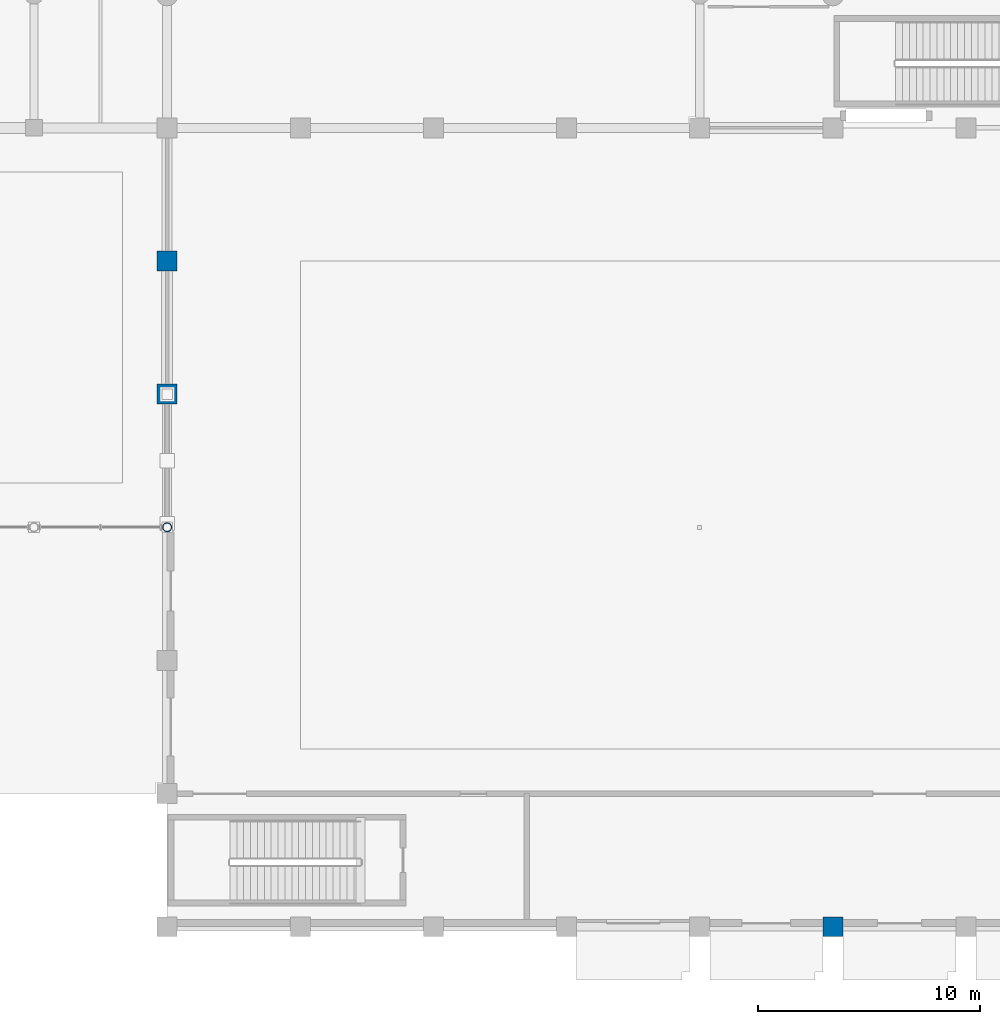
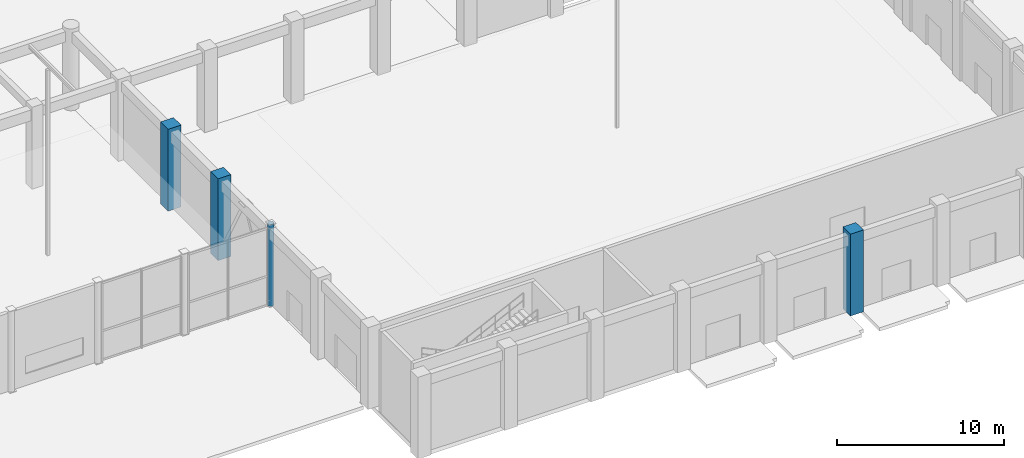
# One storey, part 5 of 106: 4 columns.
"""IFC4 building model written with IfcOpenShell, lengths in metres."""

from ifc_helpers import new_model, si_unit, direction, frame, origin, origin_2d, place, context, subcontext, project, spatial, rectangle, hollow_circle, extrude, material, material_profile, profile_set, type_object, element, save


model = new_model("IFC4")

# Units and contexts
model_context = context("Model", 3, precision=1e-05, world=origin(), true_north=direction((0.0, 1.0)))
body_context = subcontext(model_context, "Body", "Model", "MODEL_VIEW")
ifc_project = project(units=[si_unit("LENGTHUNIT", "METRE"), si_unit("AREAUNIT", "SQUARE_METRE"), si_unit("VOLUMEUNIT", "CUBIC_METRE"), si_unit("PLANEANGLEUNIT", "RADIAN"), si_unit("MASSUNIT", "GRAM", prefix="KILO"), si_unit("THERMODYNAMICTEMPERATUREUNIT", "KELVIN"), si_unit("POWERUNIT", "WATT")], contexts=[model_context])

# Site, building, storey
site_placement = place(None, origin())
site = spatial("IfcSite", under=ifc_project, at=site_placement, CompositionType="ELEMENT")
building_placement = place(site_placement, origin())
building = spatial("IfcBuilding", under=site, at=building_placement, Name="Phaisarnlok Congress Hotel", CompositionType="ELEMENT")
storey_placement = place(building_placement, origin())
storey = spatial("IfcBuildingStorey", under=building, at=storey_placement, Name="L00", CompositionType="ELEMENT", Elevation=0.0)

# Columns
ifc_material_1 = material(Name="Concrete C50/60", Category="concrete")
ifc_material_profile_1 = material_profile(ifc_material_1, rectangle(XDim=0.89990234375, YDim=0.89990234375, at=origin_2d()), Name="RC 900x900")
ifc_profile_set_1 = profile_set([ifc_material_profile_1], Name="Concrete C50/60")
column_type_1 = type_object("IfcColumnType", Name="COL-RC-900", PredefinedType="COLUMN", material=ifc_profile_set_1)
for number, where, z_axis, x_axis, name in (
    (1, (96.0, 24.0, 0.0), (0.0, 0.0, 1.0), (1.0, 0.0, 0.0), "Column C-08 (L00)"),
    (2, (96.0, 30.0, 0.0), (0.0, 0.0, 1.0), (1.0, 0.0, 0.0), "Column C-08 (L00)"),
):
    element("IfcColumn", number, at=place(storey_placement, frame(where, z_axis=z_axis, x_axis=x_axis)), inside=storey, type_object=column_type_1, Name=name, PredefinedType="COLUMN", context=body_context, shape_type="SweptSolid", body=[
        extrude(rectangle(XDim=0.89990234375, YDim=0.89990234375, at=origin_2d()), origin(), (0.0, 0.0, 1.0), 6.0),
    ])
ifc_material_profile_2 = material_profile(ifc_material_1, rectangle(XDim=0.89990234375, YDim=0.89990234375, at=origin_2d()), Name="RC 900x900")
ifc_profile_set_2 = profile_set([ifc_material_profile_2], Name="Concrete C50/60")
column_type_2 = type_object("IfcColumnType", Name="COL-RC-900-EXT", PredefinedType="COLUMN", material=ifc_profile_set_2)
column_1_placement = place(storey_placement, frame((126.0, 0.0, 0.0), z_axis=(0.0, 0.0, 1.0), x_axis=(1.0, 0.0, 0.0)))
element("IfcColumn", 3, at=column_1_placement, inside=storey, type_object=column_type_2, Name="Column C-08E (L00)", PredefinedType="COLUMN", context=body_context, shape_type="SweptSolid", body=[
    extrude(rectangle(XDim=0.89990234375, YDim=0.89990234375, at=origin_2d()), origin(), (0.0, 0.0, 1.0), 6.0),
])
ifc_material_2 = material(Name="Steel S355", Category="steel")
ifc_material_profile_3 = material_profile(ifc_material_2, hollow_circle(Radius=0.203125, WallThickness=0.02001953125, at=origin_2d()), Name="CHS 406.4x20")
ifc_profile_set_3 = profile_set([ifc_material_profile_3], Name="Steel S355")
column_type_3 = type_object("IfcColumnType", Name="COL-STL-CHS406-EXT", PredefinedType="COLUMN", material=ifc_profile_set_3)
column_2_placement = place(storey_placement, frame((96.0, 18.0, 0.0), z_axis=(0.0, 0.0, 1.0), x_axis=(1.0, 0.0, 0.0)))
element("IfcColumn", 4, at=column_2_placement, inside=storey, type_object=column_type_3, Name="Column SC-02E (L00)", PredefinedType="COLUMN", context=body_context, shape_type="SweptSolid", body=[
    extrude(hollow_circle(Radius=0.203125, WallThickness=0.02001953125, at=origin_2d()), origin(), (0.0, 0.0, 1.0), 6.0),
])

save(model, "model.ifc")
